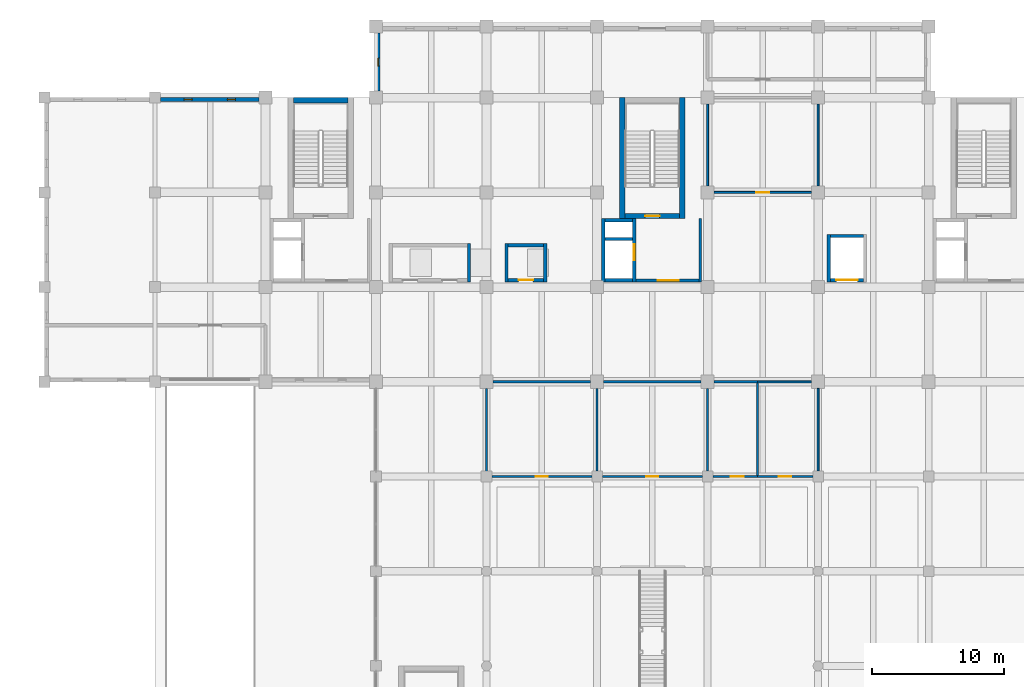
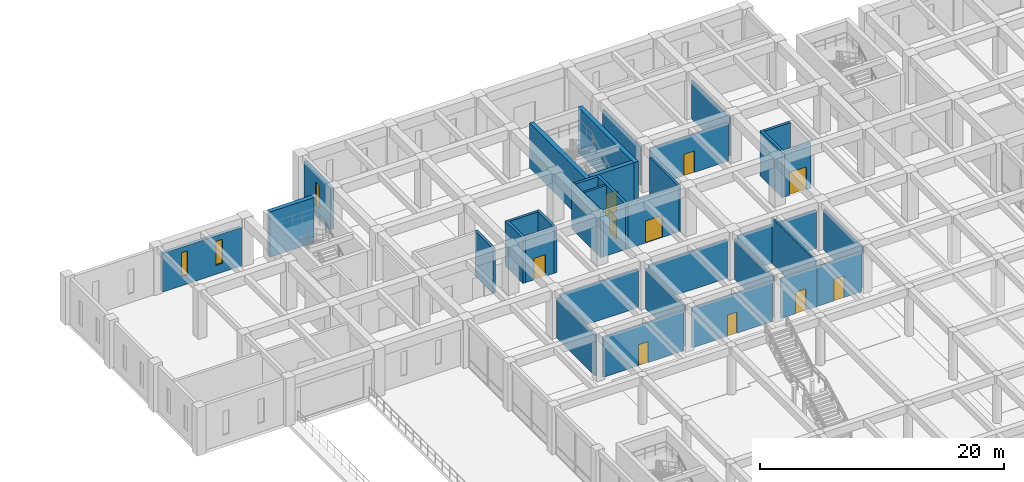
# One storey, part 30 of 49: 37 walls, 10 doors, 3 windows, 13 openings.
"""IFC4 building model written with IfcOpenShell, lengths in metres."""

from ifc_helpers import new_model, si_unit, direction, frame, frame_2d, origin, place, context, subcontext, project, spatial, rectangle, extrude, material, layer, layer_set, type_object, element, fill, save


model = new_model("IFC4")

# Units and contexts
model_context = context("Model", 3, precision=1e-05, world=origin(), true_north=direction((0.0, 1.0)))
body_context = subcontext(model_context, "Body", "Model", "MODEL_VIEW")
ifc_project = project(units=[si_unit("LENGTHUNIT", "METRE"), si_unit("AREAUNIT", "SQUARE_METRE"), si_unit("VOLUMEUNIT", "CUBIC_METRE"), si_unit("PLANEANGLEUNIT", "RADIAN"), si_unit("MASSUNIT", "GRAM", prefix="KILO")], contexts=[model_context])

# Site, building, storey
site_placement = place(None, origin())
site = spatial("IfcSite", under=ifc_project, at=site_placement, CompositionType="ELEMENT")
building_placement = place(site_placement, origin())
building = spatial("IfcBuilding", under=site, at=building_placement, Name="Kenerak Square Central Library", CompositionType="ELEMENT")
storey_placement = place(building_placement, origin())
storey = spatial("IfcBuildingStorey", under=building, at=storey_placement, Name="L00", CompositionType="ELEMENT", Elevation=0.0)

# Wall, opening, door
ifc_material_1 = material(Name="Precast concrete C40/50", Category="concrete")
ifc_layer_1 = layer(ifc_material_1, 0.14990234375)
ifc_layer_set_1 = layer_set([ifc_layer_1], Name="Precast concrete C40/50")
wall_type_1 = type_object("IfcWallType", Name="Acoustic Blockwork Partition IW-150 C40/50", PredefinedType="PARTITIONING", material=ifc_layer_set_1)
wall_1_placement = place(storey_placement, frame((100.0, 81.60009765625, 0.0), z_axis=(0.0, 0.0, 1.0), x_axis=(-1.0, 0.0, 0.0)))
wall_1 = element("IfcWall", 1, at=wall_1_placement, inside=storey, type_object=wall_type_1, Name="Interior Wall IW-L00-24-S1-B1", PredefinedType="PARTITIONING", context=body_context, shape_type="SweptSolid", body=[
    extrude(rectangle(XDim=4.199951171875, YDim=0.14990234375, at=frame_2d((2.10009765625, 0.0))), origin(), (0.0, 0.0, 1.0), 4.0),
])
opening_1_placement = place(wall_1_placement, frame((1.625, 0.0, 0.0)))
opening_1 = element("IfcOpeningElement", 2, at=opening_1_placement, cuts=wall_1, Name="Opening ID-02", PredefinedType="OPENING", context=body_context, shape_type="SweptSolid", body=[
    extrude(rectangle(XDim=0.949951171875, YDim=2.14990234375, at=frame_2d((0.47509765625, 1.074951171875))), frame((0.0, 0.0849609375, 0.0), z_axis=(0.0, -1.0, 0.0), x_axis=(1.0, 0.0, 0.0)), (0.0, 0.0, 1.0), 0.169921875),
])
ifc_material_2 = material(Name="Chengal hardwood timber SG1", Category="wood")
door_type_1 = type_object("IfcDoorType", Name="Study Carrel Timber Door ID-950x2150", OperationType="NOTDEFINED", PredefinedType="DOOR", material=ifc_material_2)
door_1_placement = place(opening_1_placement, origin())
door_1 = element("IfcDoor", 3, at=door_1_placement, inside=storey, type_object=door_type_1, Name="Ground Parents Nursing and Baby-Care Room Door", OperationType="SINGLE_SWING_RIGHT", OverallHeight=2.14990234375, OverallWidth=0.949951171875, PredefinedType="DOOR", context=body_context, shape_type="SweptSolid", body=[
    extrude(rectangle(XDim=0.949951171875, YDim=2.14990234375, at=frame_2d((0.47509765625, 1.074951171875))), frame((0.0, 0.02490234375, 0.0), z_axis=(0.0, -1.0, 0.0), x_axis=(1.0, 0.0, 0.0)), (0.0, 0.0, 1.0), 0.050048828125),
])
fill(opening_1, door_1)

wall_2_placement = place(storey_placement, frame((99.89990234375, 103.199951171875, 0.0), z_axis=(0.0, 0.0, 1.0), x_axis=(-1.0, 0.0, 0.0)))
wall_2 = element("IfcWall", 4, at=wall_2_placement, inside=storey, type_object=wall_type_1, Name="Interior Wall IW-L00-22-S1-B1", PredefinedType="PARTITIONING", context=body_context, shape_type="SweptSolid", body=[
    extrude(rectangle(XDim=7.39990234375, YDim=0.14990234375, at=frame_2d((3.699951171875, 0.0))), origin(), (0.0, 0.0, 1.0), 3.85009765625),
])
opening_2_placement = place(wall_2_placement, frame((3.199951171875, 0.0, 0.0)))
opening_2 = element("IfcOpeningElement", 5, at=opening_2_placement, cuts=wall_2, Name="Opening ID-03", PredefinedType="OPENING", context=body_context, shape_type="SweptSolid", body=[
    extrude(rectangle(XDim=1.0, YDim=2.14990234375, at=frame_2d((0.5, 1.074951171875))), frame((0.0, 0.0849609375, 0.0), z_axis=(0.0, -1.0, 0.0), x_axis=(1.0, 0.0, 0.0)), (0.0, 0.0, 1.0), 0.169921875),
])
door_type_2 = type_object("IfcDoorType", Name="Accessible OKU WC Door ID-1000x2150", OperationType="NOTDEFINED", PredefinedType="DOOR", material=ifc_material_2)
door_2_placement = place(opening_2_placement, origin())
door_2 = element("IfcDoor", 6, at=door_2_placement, inside=storey, type_object=door_type_2, Name="Braille and Talking-Book Accessible Reading Room Door", OperationType="SINGLE_SWING_LEFT", OverallHeight=2.14990234375, OverallWidth=1.0, PredefinedType="DOOR", context=body_context, shape_type="SweptSolid", body=[
    extrude(rectangle(XDim=1.0, YDim=2.14990234375, at=frame_2d((0.5, 1.074951171875))), frame((0.0, 0.02490234375, 0.0), z_axis=(0.0, -1.0, 0.0), x_axis=(1.0, 0.0, 0.0)), (0.0, 0.0, 1.0), 0.050048828125),
])
fill(opening_2, door_2)

# Walls
wall_3_placement = place(storey_placement, frame((95.800048828125, 88.800048828125, 0.0), z_axis=(0.0, 0.0, 1.0), x_axis=(1.0, 0.0, 0.0)))
element("IfcWall", 7, at=wall_3_placement, inside=storey, type_object=wall_type_1, Name="Interior Wall IW-L00-24-N2-B1", PredefinedType="PARTITIONING", context=body_context, shape_type="SweptSolid", body=[
    extrude(rectangle(XDim=4.099853515625, YDim=0.14990234375, at=frame_2d((2.0498046875, 0.0))), origin(), (0.0, 0.0, 1.0), 3.85009765625),
])
wall_4_placement = place(storey_placement, frame((100.39990234375, 88.300048828125, 0.0), z_axis=(0.0, 0.0, 1.0), x_axis=(0.0, -1.0, 0.0)))
element("IfcWall", 8, at=wall_4_placement, inside=storey, type_object=wall_type_1, Name="Interior Wall IW-L00-24-E4-B1", PredefinedType="PARTITIONING", context=body_context, shape_type="SweptSolid", body=[
    extrude(rectangle(XDim=6.300048828125, YDim=0.14990234375, at=frame_2d((3.14990234375, 0.0))), origin(), (0.0, 0.0, 1.0), 4.050048828125),
])
for number, where, z_axis, x_axis, name in (
    (9, (92.0, 103.699951171875, 0.0), (0.0, 0.0, 1.0), (0.0, 1.0, 0.0), "Interior Wall IW-L00-22-W3-B1"),
    (10, (100.39990234375, 109.89990234375, 0.0), (0.0, 0.0, 1.0), (0.0, -1.0, 0.0), "Interior Wall IW-L00-22-E4-B1"),
):
    element("IfcWall", number, at=place(storey_placement, frame(where, z_axis=z_axis, x_axis=x_axis)), inside=storey, type_object=wall_type_1, Name=name, PredefinedType="PARTITIONING", context=body_context, shape_type="SweptSolid", body=[
        extrude(rectangle(XDim=6.199951171875, YDim=0.14990234375, at=frame_2d((3.10009765625, 0.0))), origin(), (0.0, 0.0, 1.0), 3.85009765625),
    ])

# Wall, openings, windows
ifc_material_3 = material(Name="Concrete C40/50", Category="concrete")
ifc_layer_2 = layer(ifc_material_3, 0.300048828125)
ifc_layer_set_2 = layer_set([ifc_layer_2], Name="Concrete C40/50")
wall_type_2 = type_object("IfcWallType", Name="Board-Marked Brutalist Facade Wall EW-300 C40/50", PredefinedType="SOLIDWALL", material=ifc_layer_set_2)
wall_5_placement = place(storey_placement, frame((50.425048828125, 110.25, 0.0), z_axis=(0.0, 0.0, 1.0), x_axis=(1.0, 0.0, 0.0)))
wall_5 = element("IfcWall", 11, at=wall_5_placement, inside=storey, type_object=wall_type_2, Name="Exterior Facade Wall L00 0041", PredefinedType="SOLIDWALL", context=body_context, shape_type="SweptSolid", body=[
    extrude(rectangle(XDim=7.474853515625, YDim=0.300048828125, at=frame_2d((3.7373046875, 0.0))), origin(), (0.0, 0.0, 1.0), 3.85009765625),
])
opening_3_placement = place(wall_5_placement, frame((1.79296875, 0.0, 0.89990234375)))
opening_3 = element("IfcOpeningElement", 12, at=opening_3_placement, cuts=wall_5, Name="Opening W-01", PredefinedType="OPENING", context=body_context, shape_type="SweptSolid", body=[
    extrude(rectangle(XDim=0.60009765625, YDim=2.39990234375, at=frame_2d((0.300048828125, 1.199951171875))), frame((0.0, 0.159912109375, 0.0), z_axis=(0.0, -1.0, 0.0), x_axis=(1.0, 0.0, 0.0)), (0.0, 0.0, 1.0), 0.320068359375),
])
opening_4_placement = place(wall_5_placement, frame((5.08203125, 0.0, 0.89990234375)))
opening_4 = element("IfcOpeningElement", 13, at=opening_4_placement, cuts=wall_5, Name="Opening W-01", PredefinedType="OPENING", context=body_context, shape_type="SweptSolid", body=[
    extrude(rectangle(XDim=0.60009765625, YDim=2.39990234375, at=frame_2d((0.300048828125, 1.199951171875))), frame((0.0, 0.159912109375, 0.0), z_axis=(0.0, -1.0, 0.0), x_axis=(1.0, 0.0, 0.0)), (0.0, 0.0, 1.0), 0.320068359375),
])
ifc_material_4 = material(Name="Solar-control low-E laminated double glazing", Category="glass")
window_type = type_object("IfcWindowType", Name="UV-Filtered Stack Slot Window W-01 600x2400", PartitioningType="SINGLE_PANEL", PredefinedType="WINDOW", material=ifc_material_4)
window_1_placement = place(opening_3_placement, origin())
window_1 = element("IfcWindow", 14, at=window_1_placement, inside=storey, type_object=window_type, Name="Window W-01 L00 0014", OverallHeight=2.39990234375, OverallWidth=0.60009765625, PartitioningType="SINGLE_PANEL", PredefinedType="WINDOW", context=body_context, shape_type="SweptSolid", body=[
    extrude(rectangle(XDim=0.60009765625, YDim=2.39990234375, at=frame_2d((0.300048828125, 1.199951171875))), frame((0.0, 0.030029296875, 0.0), z_axis=(0.0, -1.0, 0.0), x_axis=(1.0, 0.0, 0.0)), (0.0, 0.0, 1.0), 0.06005859375),
])
fill(opening_3, window_1)
window_2_placement = place(opening_4_placement, origin())
window_2 = element("IfcWindow", 15, at=window_2_placement, inside=storey, type_object=window_type, Name="Window W-01 L00 0015", OverallHeight=2.39990234375, OverallWidth=0.60009765625, PartitioningType="SINGLE_PANEL", PredefinedType="WINDOW", context=body_context, shape_type="SweptSolid", body=[
    extrude(rectangle(XDim=0.60009765625, YDim=2.39990234375, at=frame_2d((0.300048828125, 1.199951171875))), frame((0.0, 0.030029296875, 0.0), z_axis=(0.0, -1.0, 0.0), x_axis=(1.0, 0.0, 0.0)), (0.0, 0.0, 1.0), 0.06005859375),
])
fill(opening_4, window_2)

# Wall, opening, window
wall_6_placement = place(storey_placement, frame((66.949951171875, 110.89990234375, 0.0), z_axis=(0.0, 0.0, 1.0), x_axis=(0.0, 1.0, 0.0)))
wall_6 = element("IfcWall", 16, at=wall_6_placement, inside=storey, type_object=wall_type_2, Name="Exterior Facade Wall L00 0042", PredefinedType="SOLIDWALL", context=body_context, shape_type="SweptSolid", body=[
    extrude(rectangle(XDim=4.400146484375, YDim=0.300048828125, at=frame_2d((2.2001953125, 0.0))), origin(), (0.0, 0.0, 1.0), 4.199951171875),
])
opening_5_placement = place(wall_6_placement, frame((1.89990234375, 0.0, 0.89990234375)))
opening_5 = element("IfcOpeningElement", 17, at=opening_5_placement, cuts=wall_6, Name="Opening W-01", PredefinedType="OPENING", context=body_context, shape_type="SweptSolid", body=[
    extrude(rectangle(XDim=0.60009765625, YDim=2.39990234375, at=frame_2d((0.300048828125, 1.199951171875))), frame((0.0, 0.159912109375, 0.0), z_axis=(0.0, -1.0, 0.0), x_axis=(1.0, 0.0, 0.0)), (0.0, 0.0, 1.0), 0.320068359375),
])
window_3_placement = place(opening_5_placement, origin())
window_3 = element("IfcWindow", 18, at=window_3_placement, inside=storey, type_object=window_type, Name="Window W-01 L00 0016", OverallHeight=2.39990234375, OverallWidth=0.60009765625, PartitioningType="SINGLE_PANEL", PredefinedType="WINDOW", context=body_context, shape_type="SweptSolid", body=[
    extrude(rectangle(XDim=0.60009765625, YDim=2.39990234375, at=frame_2d((0.300048828125, 1.199951171875))), frame((0.0, 0.030029296875, 0.0), z_axis=(0.0, -1.0, 0.0), x_axis=(1.0, 0.0, 0.0)), (0.0, 0.0, 1.0), 0.06005859375),
])
fill(opening_5, window_3)

# Walls
ifc_layer_3 = layer(ifc_material_3, 0.39990234375)
ifc_layer_set_3 = layer_set([ifc_layer_3], Name="Concrete C40/50")
wall_type_3 = type_object("IfcWallType", Name="Core Shear Wall CW-400 C40/50", PredefinedType="SHEAR", material=ifc_layer_set_3)
wall_7_placement = place(storey_placement, frame((60.52001953125, 110.199951171875, 0.0), z_axis=(0.0, 0.0, 1.0), x_axis=(1.0, 0.0, 0.0)))
element("IfcWall", 19, at=wall_7_placement, inside=storey, type_object=wall_type_3, Name="Core Wall CW-C1 L00 North", PredefinedType="SHEAR", context=body_context, shape_type="SweptSolid", body=[
    extrude(rectangle(XDim=4.159912109375, YDim=0.39990234375, at=frame_2d((2.080078125, 0.0))), origin(), (0.0, 0.0, 1.0), 4.52490234375),
])
for number, where, z_axis, x_axis, name in (
    (20, (85.52001953125, 101.199951171875, 0.0), (0.0, 0.0, 1.0), (0.0, 1.0, 0.0), "Core Wall CW-C2 L00 West"),
    (21, (90.080078125, 110.39990234375, 0.0), (0.0, 0.0, 1.0), (0.0, -1.0, 0.0), "Core Wall CW-C2 L00 East"),
):
    element("IfcWall", number, at=place(storey_placement, frame(where, z_axis=z_axis, x_axis=x_axis)), inside=storey, type_object=wall_type_3, Name=name, PredefinedType="SHEAR", context=body_context, shape_type="SweptSolid", body=[
        extrude(rectangle(XDim=9.199951171875, YDim=0.39990234375, at=frame_2d((4.60009765625, 0.0))), origin(), (0.0, 0.0, 1.0), 4.52490234375),
    ])

# Wall, opening, door
wall_8_placement = place(storey_placement, frame((89.8798828125, 101.39990234375, 0.0), z_axis=(0.0, 0.0, 1.0), x_axis=(-1.0, 0.0, 0.0)))
wall_8 = element("IfcWall", 22, at=wall_8_placement, inside=storey, type_object=wall_type_3, Name="Core Wall CW-C2 L00 South", PredefinedType="SHEAR", context=body_context, shape_type="SweptSolid", body=[
    extrude(rectangle(XDim=4.159912109375, YDim=0.39990234375, at=frame_2d((2.080078125, 0.0))), origin(), (0.0, 0.0, 1.0), 4.52490234375),
])
opening_6_placement = place(wall_8_placement, frame((1.530029296875, 0.0, 0.0)))
opening_6 = element("IfcOpeningElement", 23, at=opening_6_placement, cuts=wall_8, Name="Opening D-ST1", PredefinedType="OPENING", context=body_context, shape_type="SweptSolid", body=[
    extrude(rectangle(XDim=1.10009765625, YDim=2.199951171875, at=frame_2d((0.550048828125, 1.10009765625))), frame((0.0, 0.2099609375, 0.0), z_axis=(0.0, -1.0, 0.0), x_axis=(1.0, 0.0, 0.0)), (0.0, 0.0, 1.0), 0.419921875),
])
ifc_material_5 = material(Name="Steel S355", Category="steel")
door_type_3 = type_object("IfcDoorType", Name="Protected Stair Fire Door FD-1100x2200 FD60S", OperationType="NOTDEFINED", PredefinedType="DOOR", material=ifc_material_5)
door_3_placement = place(opening_6_placement, frame((1.10009765625, 0.0, 0.0), z_axis=(0.0, 0.0, 1.0), x_axis=(-1.0, 0.0, 0.0)))
door_3 = element("IfcDoor", 24, at=door_3_placement, inside=storey, type_object=door_type_3, Name="Stair Door ST-02 L00", OperationType="SINGLE_SWING_RIGHT", OverallHeight=2.199951171875, OverallWidth=1.10009765625, PredefinedType="DOOR", context=body_context, shape_type="SweptSolid", body=[
    extrude(rectangle(XDim=1.10009765625, YDim=2.199951171875, at=frame_2d((0.550048828125, 1.10009765625))), frame((0.0, 0.02490234375, 0.0), z_axis=(0.0, -1.0, 0.0), x_axis=(1.0, 0.0, 0.0)), (0.0, 0.0, 1.0), 0.050048828125),
])
fill(opening_6, door_3)

# Walls
ifc_layer_4 = layer(ifc_material_3, 0.199951171875)
ifc_layer_set_4 = layer_set([ifc_layer_4], Name="Concrete C40/50")
wall_type_4 = type_object("IfcWallType", Name="Lobby Compartment Wall LW-200 C40/50", PredefinedType="SOLIDWALL", material=ifc_layer_set_4)
wall_9_placement = place(storey_placement, frame((84.199951171875, 99.64990234375, 0.0), z_axis=(0.0, 0.0, 1.0), x_axis=(1.0, 0.0, 0.0)))
element("IfcWall", 25, at=wall_9_placement, inside=storey, type_object=wall_type_4, Name="Riser Divider Wall C2 L00", PredefinedType="SOLIDWALL", context=body_context, shape_type="SweptSolid", body=[
    extrude(rectangle(XDim=2.10009765625, YDim=0.199951171875, at=frame_2d((1.050048828125, 0.0))), origin(), (0.0, 0.0, 1.0), 4.52490234375),
])
wall_10_placement = place(storey_placement, frame((91.449951171875, 101.199951171875, 0.0), z_axis=(0.0, 0.0, 1.0), x_axis=(0.0, -1.0, 0.0)))
element("IfcWall", 26, at=wall_10_placement, inside=storey, type_object=wall_type_4, Name="Firefighting Lobby East Wall C2 L00", PredefinedType="SOLIDWALL", context=body_context, shape_type="SweptSolid", body=[
    extrude(rectangle(XDim=4.800048828125, YDim=0.199951171875, at=frame_2d((2.39990234375, 0.0))), origin(), (0.0, 0.0, 1.0), 4.52490234375),
])

# Wall, opening, door
wall_11_placement = place(storey_placement, frame((91.35009765625, 96.5, 0.0), z_axis=(0.0, 0.0, 1.0), x_axis=(-1.0, 0.0, 0.0)))
wall_11 = element("IfcWall", 27, at=wall_11_placement, inside=storey, type_object=wall_type_4, Name="Firefighting Lobby South Wall C2 L00", PredefinedType="SOLIDWALL", context=body_context, shape_type="SweptSolid", body=[
    extrude(rectangle(XDim=4.800048828125, YDim=0.199951171875, at=frame_2d((2.39990234375, 0.0))), origin(), (0.0, 0.0, 1.0), 4.52490234375),
])
opening_7_placement = place(wall_11_placement, frame((1.550048828125, 0.0, 0.0)))
opening_7 = element("IfcOpeningElement", 28, at=opening_7_placement, cuts=wall_11, Name="Opening D-FFL", PredefinedType="OPENING", context=body_context, shape_type="SweptSolid", body=[
    extrude(rectangle(XDim=1.60009765625, YDim=2.199951171875, at=frame_2d((0.800048828125, 1.10009765625))), frame((0.0, 0.10986328125, 0.0), z_axis=(0.0, -1.0, 0.0), x_axis=(1.0, 0.0, 0.0)), (0.0, 0.0, 1.0), 0.219970703125),
])
door_type_4 = type_object("IfcDoorType", Name="Firefighting Lobby Double Door FD-1600x2200 FD60S", OperationType="NOTDEFINED", PredefinedType="DOOR", material=ifc_material_5)
door_4_placement = place(opening_7_placement, frame((1.60009765625, 0.0, 0.0), z_axis=(0.0, 0.0, 1.0), x_axis=(-1.0, 0.0, 0.0)))
door_4 = element("IfcDoor", 29, at=door_4_placement, inside=storey, type_object=door_type_4, Name="Firefighting Lobby Door C2 L00", OperationType="DOUBLE_DOOR_SINGLE_SWING", OverallHeight=2.199951171875, OverallWidth=1.60009765625, PredefinedType="DOOR", context=body_context, shape_type="SweptSolid", body=[
    extrude(rectangle(XDim=1.60009765625, YDim=2.199951171875, at=frame_2d((0.800048828125, 1.10009765625))), frame((0.0, 0.02490234375, 0.0), z_axis=(0.0, -1.0, 0.0), x_axis=(1.0, 0.0, 0.0)), (0.0, 0.0, 1.0), 0.050048828125),
])
fill(opening_7, door_4)

ifc_layer_5 = layer(ifc_material_1, 0.175048828125)
ifc_layer_set_5 = layer_set([ifc_layer_5], Name="Precast concrete C40/50")
wall_type_5 = type_object("IfcWallType", Name="Sanitary Plumbing Chase Wall IW-175 C40/50", PredefinedType="PLUMBINGWALL", material=ifc_layer_set_5)
wall_12_placement = place(storey_placement, frame((83.199951171875, 81.60009765625, 0.0), z_axis=(0.0, 0.0, 1.0), x_axis=(-1.0, 0.0, 0.0)))
wall_12 = element("IfcWall", 30, at=wall_12_placement, inside=storey, type_object=wall_type_5, Name="Interior Wall IW-L00-18-S1-B1", PredefinedType="PLUMBINGWALL", context=body_context, shape_type="SweptSolid", body=[
    extrude(rectangle(XDim=7.599853515625, YDim=0.175048828125, at=frame_2d((3.7998046875, 0.0))), origin(), (0.0, 0.0, 1.0), 4.0),
])
opening_8_placement = place(wall_12_placement, frame((3.35009765625, 0.0, 0.0)))
opening_8 = element("IfcOpeningElement", 31, at=opening_8_placement, cuts=wall_12, Name="Opening ID-01", PredefinedType="OPENING", context=body_context, shape_type="SweptSolid", body=[
    extrude(rectangle(XDim=0.89990234375, YDim=2.10009765625, at=frame_2d((0.449951171875, 1.050048828125))), frame((0.0, 0.097412109375, 0.0), z_axis=(0.0, -1.0, 0.0), x_axis=(1.0, 0.0, 0.0)), (0.0, 0.0, 1.0), 0.195068359375),
])
door_type_5 = type_object("IfcDoorType", Name="Restroom Single Door ID-900x2100", OperationType="NOTDEFINED", PredefinedType="DOOR", material=ifc_material_2)
door_5_placement = place(opening_8_placement, origin())
door_5 = element("IfcDoor", 32, at=door_5_placement, inside=storey, type_object=door_type_5, Name="Ground Male Public Restroom Door", OperationType="SINGLE_SWING_LEFT", OverallHeight=2.10009765625, OverallWidth=0.89990234375, PredefinedType="DOOR", context=body_context, shape_type="SweptSolid", body=[
    extrude(rectangle(XDim=0.89990234375, YDim=2.10009765625, at=frame_2d((0.449951171875, 1.050048828125))), frame((0.0, 0.02490234375, 0.0), z_axis=(0.0, -1.0, 0.0), x_axis=(1.0, 0.0, 0.0)), (0.0, 0.0, 1.0), 0.050048828125),
])
fill(opening_8, door_5)

wall_13_placement = place(storey_placement, frame((91.60009765625, 81.60009765625, 0.0), z_axis=(0.0, 0.0, 1.0), x_axis=(-1.0, 0.0, 0.0)))
wall_13 = element("IfcWall", 33, at=wall_13_placement, inside=storey, type_object=wall_type_5, Name="Interior Wall IW-L00-19-S1-B1", PredefinedType="PLUMBINGWALL", context=body_context, shape_type="SweptSolid", body=[
    extrude(rectangle(XDim=7.60009765625, YDim=0.175048828125, at=frame_2d((3.800048828125, 0.0))), origin(), (0.0, 0.0, 1.0), 4.0),
])
opening_9_placement = place(wall_13_placement, frame((3.35009765625, 0.0, 0.0)))
opening_9 = element("IfcOpeningElement", 34, at=opening_9_placement, cuts=wall_13, Name="Opening ID-01", PredefinedType="OPENING", context=body_context, shape_type="SweptSolid", body=[
    extrude(rectangle(XDim=0.89990234375, YDim=2.10009765625, at=frame_2d((0.449951171875, 1.050048828125))), frame((0.0, 0.097412109375, 0.0), z_axis=(0.0, -1.0, 0.0), x_axis=(1.0, 0.0, 0.0)), (0.0, 0.0, 1.0), 0.195068359375),
])
door_6_placement = place(opening_9_placement, origin())
door_6 = element("IfcDoor", 35, at=door_6_placement, inside=storey, type_object=door_type_5, Name="Ground Female Public Restroom Door", OperationType="SINGLE_SWING_RIGHT", OverallHeight=2.10009765625, OverallWidth=0.89990234375, PredefinedType="DOOR", context=body_context, shape_type="SweptSolid", body=[
    extrude(rectangle(XDim=0.89990234375, YDim=2.10009765625, at=frame_2d((0.449951171875, 1.050048828125))), frame((0.0, 0.02490234375, 0.0), z_axis=(0.0, -1.0, 0.0), x_axis=(1.0, 0.0, 0.0)), (0.0, 0.0, 1.0), 0.050048828125),
])
fill(opening_9, door_6)

wall_14_placement = place(storey_placement, frame((95.800048828125, 81.60009765625, 0.0), z_axis=(0.0, 0.0, 1.0), x_axis=(-1.0, 0.0, 0.0)))
wall_14 = element("IfcWall", 36, at=wall_14_placement, inside=storey, type_object=wall_type_5, Name="Interior Wall IW-L00-20-S1-B1", PredefinedType="PLUMBINGWALL", context=body_context, shape_type="SweptSolid", body=[
    extrude(rectangle(XDim=3.400146484375, YDim=0.175048828125, at=frame_2d((1.7001953125, 0.0))), origin(), (0.0, 0.0, 1.0), 4.0),
])
opening_10_placement = place(wall_14_placement, frame((1.050048828125, 0.0, 0.0)))
opening_10 = element("IfcOpeningElement", 37, at=opening_10_placement, cuts=wall_14, Name="Opening ID-03", PredefinedType="OPENING", context=body_context, shape_type="SweptSolid", body=[
    extrude(rectangle(XDim=1.0, YDim=2.14990234375, at=frame_2d((0.5, 1.074951171875))), frame((0.0, 0.097412109375, 0.0), z_axis=(0.0, -1.0, 0.0), x_axis=(1.0, 0.0, 0.0)), (0.0, 0.0, 1.0), 0.195068359375),
])
door_7_placement = place(opening_10_placement, origin())
door_7 = element("IfcDoor", 38, at=door_7_placement, inside=storey, type_object=door_type_2, Name="Ground Accessible WC Door", OperationType="SINGLE_SWING_LEFT", OverallHeight=2.14990234375, OverallWidth=1.0, PredefinedType="DOOR", context=body_context, shape_type="SweptSolid", body=[
    extrude(rectangle(XDim=1.0, YDim=2.14990234375, at=frame_2d((0.5, 1.074951171875))), frame((0.0, 0.02490234375, 0.0), z_axis=(0.0, -1.0, 0.0), x_axis=(1.0, 0.0, 0.0)), (0.0, 0.0, 1.0), 0.050048828125),
])
fill(opening_10, door_7)

# Walls
wall_15_placement = place(storey_placement, frame((75.699951171875, 88.800048828125, 0.0), z_axis=(0.0, 0.0, 1.0), x_axis=(1.0, 0.0, 0.0)))
element("IfcWall", 39, at=wall_15_placement, inside=storey, type_object=wall_type_5, Name="Interior Wall IW-L00-18-N2-B1", PredefinedType="PLUMBINGWALL", context=body_context, shape_type="SweptSolid", body=[
    extrude(rectangle(XDim=7.400146484375, YDim=0.175048828125, at=frame_2d((3.7001953125, 0.0))), origin(), (0.0, 0.0, 1.0), 3.85009765625),
])
for number, where, z_axis, x_axis, name in (
    (40, (75.199951171875, 82.0, 0.0), (0.0, 0.0, 1.0), (0.0, 1.0, 0.0), "Interior Wall IW-L00-18-W3-B1"),
    (41, (83.60009765625, 88.300048828125, 0.0), (0.0, 0.0, 1.0), (0.0, -1.0, 0.0), "Interior Wall IW-L00-18-E4-B1"),
):
    element("IfcWall", number, at=place(storey_placement, frame(where, z_axis=z_axis, x_axis=x_axis)), inside=storey, type_object=wall_type_5, Name=name, PredefinedType="PLUMBINGWALL", context=body_context, shape_type="SweptSolid", body=[
        extrude(rectangle(XDim=6.300048828125, YDim=0.175048828125, at=frame_2d((3.14990234375, 0.0))), origin(), (0.0, 0.0, 1.0), 4.050048828125),
    ])
wall_16_placement = place(storey_placement, frame((84.10009765625, 88.800048828125, 0.0), z_axis=(0.0, 0.0, 1.0), x_axis=(1.0, 0.0, 0.0)))
element("IfcWall", 42, at=wall_16_placement, inside=storey, type_object=wall_type_5, Name="Interior Wall IW-L00-19-N2-B1", PredefinedType="PLUMBINGWALL", context=body_context, shape_type="SweptSolid", body=[
    extrude(rectangle(XDim=7.39990234375, YDim=0.175048828125, at=frame_2d((3.699951171875, 0.0))), origin(), (0.0, 0.0, 1.0), 3.85009765625),
])
wall_17_placement = place(storey_placement, frame((92.0, 88.300048828125, 0.0), z_axis=(0.0, 0.0, 1.0), x_axis=(0.0, -1.0, 0.0)))
element("IfcWall", 43, at=wall_17_placement, inside=storey, type_object=wall_type_5, Name="Interior Wall IW-L00-19-E4-B1", PredefinedType="PLUMBINGWALL", context=body_context, shape_type="SweptSolid", body=[
    extrude(rectangle(XDim=6.300048828125, YDim=0.175048828125, at=frame_2d((3.14990234375, 0.0))), origin(), (0.0, 0.0, 1.0), 4.050048828125),
])
wall_18_placement = place(storey_placement, frame((92.5, 88.800048828125, 0.0), z_axis=(0.0, 0.0, 1.0), x_axis=(1.0, 0.0, 0.0)))
element("IfcWall", 44, at=wall_18_placement, inside=storey, type_object=wall_type_5, Name="Interior Wall IW-L00-20-N2-B1", PredefinedType="PLUMBINGWALL", context=body_context, shape_type="SweptSolid", body=[
    extrude(rectangle(XDim=3.300048828125, YDim=0.175048828125, at=frame_2d((1.64990234375, 0.0))), origin(), (0.0, 0.0, 1.0), 3.85009765625),
])
wall_19_placement = place(storey_placement, frame((95.800048828125, 88.800048828125, 0.0), z_axis=(0.0, 0.0, 1.0), x_axis=(0.0, -1.0, 0.0)))
element("IfcWall", 45, at=wall_19_placement, inside=storey, type_object=wall_type_5, Name="Interior Wall IW-L00-20-E4-B1", PredefinedType="PLUMBINGWALL", context=body_context, shape_type="SweptSolid", body=[
    extrude(rectangle(XDim=7.199951171875, YDim=0.175048828125, at=frame_2d((3.60009765625, 0.0))), origin(), (0.0, 0.0, 1.0), 4.52490234375),
])
ifc_layer_6 = layer(ifc_material_3, 0.25)
ifc_layer_set_6 = layer_set([ifc_layer_6], Name="Concrete C40/50")
wall_type_6 = type_object("IfcWallType", Name="Shaft Enclosure Wall SW-250 C40/50", PredefinedType="SOLIDWALL", material=ifc_layer_set_6)
wall_20_placement = place(storey_placement, frame((84.074951171875, 96.39990234375, 0.0), z_axis=(0.0, 0.0, 1.0), x_axis=(0.0, 1.0, 0.0)))
element("IfcWall", 46, at=wall_20_placement, inside=storey, type_object=wall_type_6, Name="Core Wall FLW-C2 L00 West", PredefinedType="SOLIDWALL", context=body_context, shape_type="SweptSolid", body=[
    extrude(rectangle(XDim=4.800048828125, YDim=0.25, at=frame_2d((2.39990234375, 0.0))), origin(), (0.0, 0.0, 1.0), 4.52490234375),
])

# Wall, opening, door
wall_21_placement = place(storey_placement, frame((86.425048828125, 101.199951171875, 0.0), z_axis=(0.0, 0.0, 1.0), x_axis=(0.0, -1.0, 0.0)))
wall_21 = element("IfcWall", 47, at=wall_21_placement, inside=storey, type_object=wall_type_6, Name="Core Wall FLW-C2 L00 East", PredefinedType="SOLIDWALL", context=body_context, shape_type="SweptSolid", body=[
    extrude(rectangle(XDim=4.800048828125, YDim=0.25, at=frame_2d((2.39990234375, 0.0))), origin(), (0.0, 0.0, 1.0), 4.52490234375),
])
opening_11_placement = place(wall_21_placement, frame((1.949951171875, 0.0, 0.0)))
opening_11 = element("IfcOpeningElement", 48, at=opening_11_placement, cuts=wall_21, Name="Opening LD-FL", PredefinedType="OPENING", context=body_context, shape_type="SweptSolid", body=[
    extrude(rectangle(XDim=1.199951171875, YDim=2.199951171875, at=frame_2d((0.60009765625, 1.10009765625))), frame((0.0, 0.135009765625, 0.0), z_axis=(0.0, -1.0, 0.0), x_axis=(1.0, 0.0, 0.0)), (0.0, 0.0, 1.0), 0.27001953125),
])
door_type_6 = type_object("IfcDoorType", Name="Firefighting Lift Sliding Landing Door LD-1200x2200 FD120S", OperationType="NOTDEFINED", PredefinedType="DOOR", material=ifc_material_5)
door_8_placement = place(opening_11_placement, origin())
door_8 = element("IfcDoor", 49, at=door_8_placement, inside=storey, type_object=door_type_6, Name="Firefighting Lift Landing Door FL-02 L00", OperationType="SLIDING_TO_LEFT", OverallHeight=2.199951171875, OverallWidth=1.199951171875, PredefinedType="DOOR", context=body_context, shape_type="SweptSolid", body=[
    extrude(rectangle(XDim=1.199951171875, YDim=2.199951171875, at=frame_2d((0.60009765625, 1.10009765625))), frame((0.0, 0.02490234375, 0.0), z_axis=(0.0, -1.0, 0.0), x_axis=(1.0, 0.0, 0.0)), (0.0, 0.0, 1.0), 0.050048828125),
])
fill(opening_11, door_8)

# Walls
for number, where, z_axis, x_axis, name in (
    (50, (86.300048828125, 96.52490234375, 0.0), (0.0, 0.0, 1.0), (-1.0, 0.0, 0.0), "Core Wall FLW-C2 L00 South"),
    (51, (84.199951171875, 101.074951171875, 0.0), (0.0, 0.0, 1.0), (1.0, 0.0, 0.0), "Core Wall FLW-C2 L00 North"),
):
    element("IfcWall", number, at=place(storey_placement, frame(where, z_axis=z_axis, x_axis=x_axis)), inside=storey, type_object=wall_type_6, Name=name, PredefinedType="SOLIDWALL", context=body_context, shape_type="SweptSolid", body=[
        extrude(rectangle(XDim=2.10009765625, YDim=0.25, at=frame_2d((1.050048828125, 0.0))), origin(), (0.0, 0.0, 1.0), 4.52490234375),
    ])
for number, where, z_axis, x_axis, name in (
    (52, (73.875, 99.300048828125, 0.0), (0.0, 0.0, 1.0), (0.0, -1.0, 0.0), "Core Wall PLBANKW L00 East"),
    (53, (76.72509765625, 96.39990234375, 0.0), (0.0, 0.0, 1.0), (0.0, 1.0, 0.0), "Core Wall PLBANKE L00 West"),
    (54, (79.675048828125, 99.300048828125, 0.0), (0.0, 0.0, 1.0), (0.0, -1.0, 0.0), "Core Wall PLBANKE L00 East"),
):
    element("IfcWall", number, at=place(storey_placement, frame(where, z_axis=z_axis, x_axis=x_axis)), inside=storey, type_object=wall_type_6, Name=name, PredefinedType="SOLIDWALL", context=body_context, shape_type="SweptSolid", body=[
        extrude(rectangle(XDim=2.900146484375, YDim=0.25, at=frame_2d((1.4501953125, 0.0))), origin(), (0.0, 0.0, 1.0), 4.52490234375),
    ])

# Wall, opening, door
wall_22_placement = place(storey_placement, frame((79.550048828125, 96.52490234375, 0.0), z_axis=(0.0, 0.0, 1.0), x_axis=(-1.0, 0.0, 0.0)))
wall_22 = element("IfcWall", 55, at=wall_22_placement, inside=storey, type_object=wall_type_6, Name="Core Wall PLBANKE L00 South", PredefinedType="SOLIDWALL", context=body_context, shape_type="SweptSolid", body=[
    extrude(rectangle(XDim=2.699951171875, YDim=0.25, at=frame_2d((1.35009765625, 0.0))), origin(), (0.0, 0.0, 1.0), 4.52490234375),
])
opening_12_placement = place(wall_22_placement, frame((0.800048828125, 0.0, 0.0)))
opening_12 = element("IfcOpeningElement", 56, at=opening_12_placement, cuts=wall_22, Name="Opening LD-PL", PredefinedType="OPENING", context=body_context, shape_type="SweptSolid", body=[
    extrude(rectangle(XDim=1.10009765625, YDim=2.14990234375, at=frame_2d((0.550048828125, 1.074951171875))), frame((0.0, 0.135009765625, 0.0), z_axis=(0.0, -1.0, 0.0), x_axis=(1.0, 0.0, 0.0)), (0.0, 0.0, 1.0), 0.27001953125),
])
door_type_7 = type_object("IfcDoorType", Name="Passenger Lift Sliding Landing Door LD-1100x2150", OperationType="NOTDEFINED", PredefinedType="DOOR", material=ifc_material_5)
door_9_placement = place(opening_12_placement, origin())
door_9 = element("IfcDoor", 57, at=door_9_placement, inside=storey, type_object=door_type_7, Name="Passenger Lift Landing Door PL-03 L00", OperationType="SLIDING_TO_LEFT", OverallHeight=2.14990234375, OverallWidth=1.10009765625, PredefinedType="DOOR", context=body_context, shape_type="SweptSolid", body=[
    extrude(rectangle(XDim=1.10009765625, YDim=2.14990234375, at=frame_2d((0.550048828125, 1.074951171875))), frame((0.0, 0.02490234375, 0.0), z_axis=(0.0, -1.0, 0.0), x_axis=(1.0, 0.0, 0.0)), (0.0, 0.0, 1.0), 0.050048828125),
])
fill(opening_12, door_9)

# Walls
wall_23_placement = place(storey_placement, frame((76.85009765625, 99.175048828125, 0.0), z_axis=(0.0, 0.0, 1.0), x_axis=(1.0, 0.0, 0.0)))
element("IfcWall", 58, at=wall_23_placement, inside=storey, type_object=wall_type_6, Name="Core Wall PLBANKE L00 North", PredefinedType="SOLIDWALL", context=body_context, shape_type="SweptSolid", body=[
    extrude(rectangle(XDim=2.699951171875, YDim=0.25, at=frame_2d((1.35009765625, 0.0))), origin(), (0.0, 0.0, 1.0), 4.52490234375),
])
wall_24_placement = place(storey_placement, frame((101.22509765625, 96.39990234375, 0.0), z_axis=(0.0, 0.0, 1.0), x_axis=(0.0, 1.0, 0.0)))
element("IfcWall", 59, at=wall_24_placement, inside=storey, type_object=wall_type_6, Name="Core Wall GLSHAFT L00 West", PredefinedType="SOLIDWALL", context=body_context, shape_type="SweptSolid", body=[
    extrude(rectangle(XDim=3.60009765625, YDim=0.25, at=frame_2d((1.800048828125, 0.0))), origin(), (0.0, 0.0, 1.0), 4.52490234375),
])

# Wall, opening, door
wall_25_placement = place(storey_placement, frame((103.85009765625, 96.52490234375, 0.0), z_axis=(0.0, 0.0, 1.0), x_axis=(-1.0, 0.0, 0.0)))
wall_25 = element("IfcWall", 60, at=wall_25_placement, inside=storey, type_object=wall_type_6, Name="Core Wall GLSHAFT L00 South", PredefinedType="SOLIDWALL", context=body_context, shape_type="SweptSolid", body=[
    extrude(rectangle(XDim=2.5, YDim=0.25, at=frame_2d((1.25, 0.0))), origin(), (0.0, 0.0, 1.0), 4.52490234375),
])
opening_13_placement = place(wall_25_placement, frame((0.449951171875, 0.0, 0.0)))
opening_13 = element("IfcOpeningElement", 61, at=opening_13_placement, cuts=wall_25, Name="Opening LD-GL", PredefinedType="OPENING", context=body_context, shape_type="SweptSolid", body=[
    extrude(rectangle(XDim=1.60009765625, YDim=2.300048828125, at=frame_2d((0.800048828125, 1.14990234375))), frame((0.0, 0.135009765625, 0.0), z_axis=(0.0, -1.0, 0.0), x_axis=(1.0, 0.0, 0.0)), (0.0, 0.0, 1.0), 0.27001953125),
])
door_type_8 = type_object("IfcDoorType", Name="Goods Lift Sliding Landing Door LD-1600x2300 FD120S", OperationType="NOTDEFINED", PredefinedType="DOOR", material=ifc_material_5)
door_10_placement = place(opening_13_placement, origin())
door_10 = element("IfcDoor", 62, at=door_10_placement, inside=storey, type_object=door_type_8, Name="Goods Lift Landing Door GL-01 L00", OperationType="SLIDING_TO_LEFT", OverallHeight=2.300048828125, OverallWidth=1.60009765625, PredefinedType="DOOR", context=body_context, shape_type="SweptSolid", body=[
    extrude(rectangle(XDim=1.60009765625, YDim=2.300048828125, at=frame_2d((0.800048828125, 1.14990234375))), frame((0.0, 0.02490234375, 0.0), z_axis=(0.0, -1.0, 0.0), x_axis=(1.0, 0.0, 0.0)), (0.0, 0.0, 1.0), 0.050048828125),
])
fill(opening_13, door_10)

# Wall
wall_26_placement = place(storey_placement, frame((101.35009765625, 99.875, 0.0), z_axis=(0.0, 0.0, 1.0), x_axis=(1.0, 0.0, 0.0)))
element("IfcWall", 63, at=wall_26_placement, inside=storey, type_object=wall_type_6, Name="Core Wall GLSHAFT L00 North", PredefinedType="SOLIDWALL", context=body_context, shape_type="SweptSolid", body=[
    extrude(rectangle(XDim=2.5, YDim=0.25, at=frame_2d((1.25, 0.0))), origin(), (0.0, 0.0, 1.0), 4.52490234375),
])

save(model, "model.ifc")
